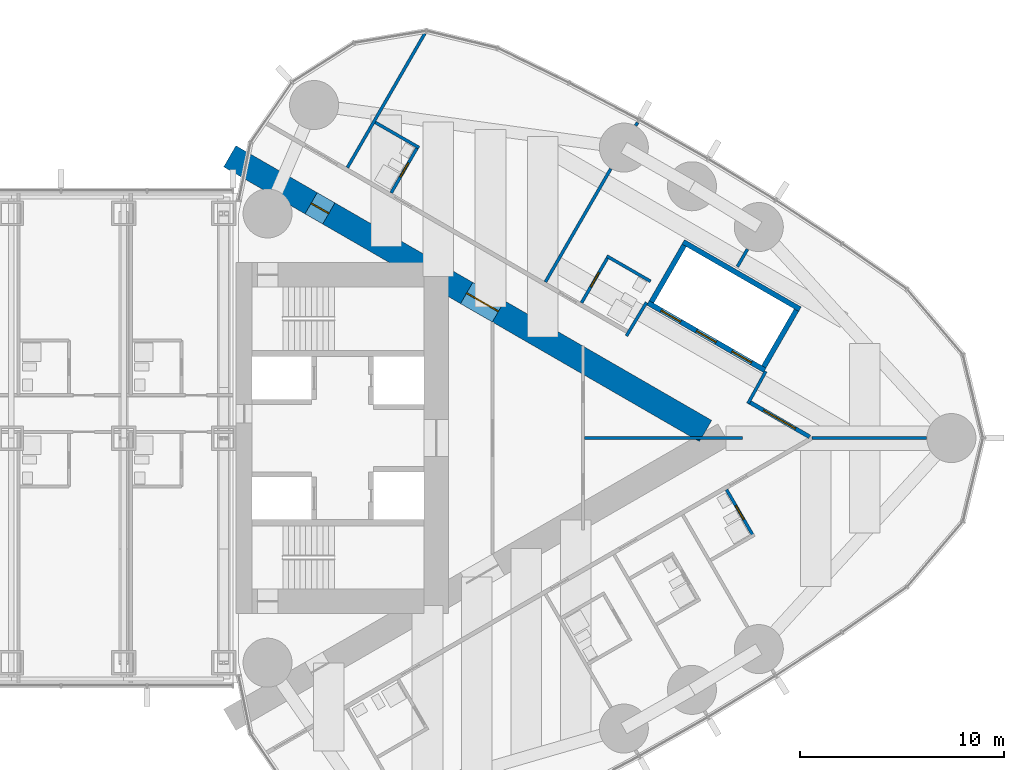
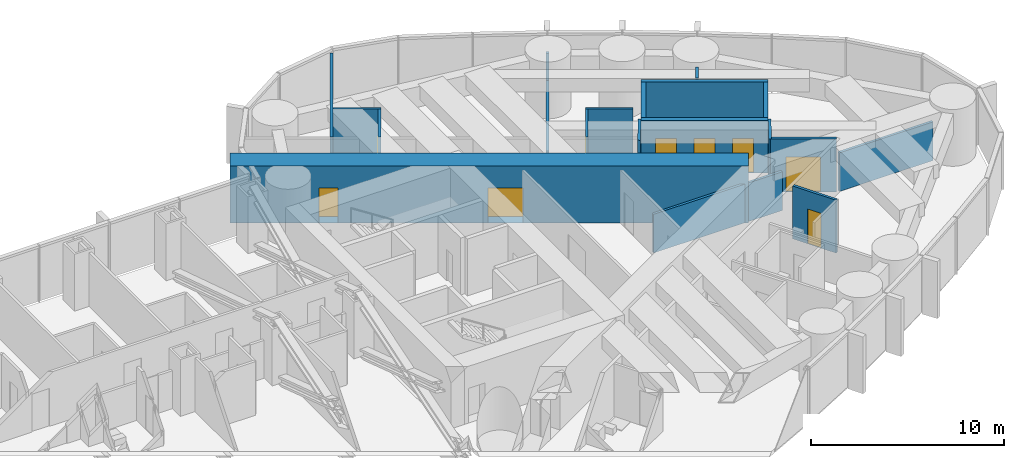
# One storey, part 20 of 23: 19 walls, 9 doors, 9 openings.
"""IFC4 building model written with IfcOpenShell, lengths in metres."""

from ifc_helpers import new_model, si_unit, direction, frame, frame_2d, origin, place, context, subcontext, project, spatial, rectangle, extrude, material, layer, layer_set, type_object, element, fill, save


model = new_model("IFC4")

# Units and contexts
model_context = context("Model", 3, precision=1e-05, world=origin(), true_north=direction((0.0, 1.0)))
body_context = subcontext(model_context, "Body", "Model", "MODEL_VIEW")
ifc_project = project(units=[si_unit("LENGTHUNIT", "METRE"), si_unit("AREAUNIT", "SQUARE_METRE"), si_unit("VOLUMEUNIT", "CUBIC_METRE"), si_unit("PLANEANGLEUNIT", "RADIAN"), si_unit("MASSUNIT", "GRAM", prefix="KILO")], contexts=[model_context])

# Site, building, storey
site_placement = place(None, origin())
site = spatial("IfcSite", under=ifc_project, at=site_placement, CompositionType="ELEMENT")
building_placement = place(site_placement, origin())
building = spatial("IfcBuilding", under=site, at=building_placement, Name="Lancet Gate Hotel", CompositionType="ELEMENT")
storey_placement = place(building_placement, frame((0.0, 0.0, 215.300048828125)))
storey = spatial("IfcBuildingStorey", under=building, at=storey_placement, Name="L57", CompositionType="ELEMENT", Elevation=215.300048828125)

# Wall, opening, door
ifc_material_1 = material(Name="Moisture resistant board partition")
ifc_layer_1 = layer(ifc_material_1, 0.14990234375)
ifc_layer_set_1 = layer_set([ifc_layer_1], Name="Bathroom wall 150")
wall_type_1 = type_object("IfcWallType", Name="Bathroom wall 150", PredefinedType="PARTITIONING", material=ifc_layer_set_1)
wall_1_placement = place(storey_placement, frame((51.528564453125, -2.525146484375, 0.0), z_axis=(0.0, 0.0, 1.0), x_axis=(0.500006934395, -0.866021400173, 0.0)))
wall_1 = element("IfcWall", 1, at=wall_1_placement, inside=storey, type_object=wall_type_1, Name="T2 bathroom wall 150 L57", PredefinedType="PARTITIONING", context=body_context, shape_type="SweptSolid", body=[
    extrude(rectangle(XDim=2.60009765625, YDim=0.14990234375, at=frame_2d((1.300048828125, 0.0))), origin(), (0.0, 0.0, 1.0), 3.349853515625),
])
opening_1_placement = place(wall_1_placement, frame((0.89990234375, 0.0, 0.0)))
opening_1 = element("IfcOpeningElement", 2, at=opening_1_placement, cuts=wall_1, Name="Opening 5755-B", PredefinedType="OPENING", context=body_context, shape_type="SweptSolid", body=[
    extrude(rectangle(XDim=0.800048828125, YDim=2.199951171875, at=frame_2d((0.39990234375, 1.10009765625))), frame((0.0, 0.0849609375, 0.0), z_axis=(0.0, -1.0, 0.0), x_axis=(1.0, 0.0, 0.0)), (0.0, 0.0, 1.0), 0.169921875),
])
ifc_material_2 = material(Name="Timber door set", Category="wood")
door_type_1 = type_object("IfcDoorType", Name="Bathroom door 800", OperationType="SINGLE_SWING_RIGHT", PredefinedType="DOOR", material=ifc_material_2)
door_1_placement = place(opening_1_placement, origin())
door_1 = element("IfcDoor", 3, at=door_1_placement, inside=storey, type_object=door_type_1, Name="5755-B", OperationType="SINGLE_SWING_RIGHT", OverallHeight=2.199951171875, OverallWidth=0.800048828125, PredefinedType="DOOR", context=body_context, shape_type="SweptSolid", body=[
    extrude(rectangle(XDim=0.800048828125, YDim=2.199951171875, at=frame_2d((0.39990234375, 1.10009765625))), frame((0.0, 0.02490234375, 0.0), z_axis=(0.0, -1.0, 0.0), x_axis=(1.0, 0.0, 0.0)), (0.0, 0.0, 1.0), 0.050048828125),
])
fill(opening_1, door_1)

# Wall
wall_2_placement = place(storey_placement, frame((45.662109375, 8.914306640625, 0.0), z_axis=(0.0, 0.0, 1.0), x_axis=(0.86604923931, -0.499958713387, 0.0)))
element("IfcWall", 4, at=wall_2_placement, inside=storey, type_object=wall_type_1, Name="T2 bathroom wall 150 L57", PredefinedType="PARTITIONING", context=body_context, shape_type="SweptSolid", body=[
    extrude(rectangle(XDim=2.474853515625, YDim=0.14990234375, at=frame_2d((1.2373046875, 0.0))), origin(), (0.0, 0.0, 1.0), 3.349853515625),
])

# Wall, opening, door
wall_3_placement = place(storey_placement, frame((44.427001953125, 6.625244140625, 0.0), z_axis=(0.0, 0.0, 1.0), x_axis=(0.500006934395, 0.866021400173, 0.0)))
wall_3 = element("IfcWall", 5, at=wall_3_placement, inside=storey, type_object=wall_type_1, Name="T2 bathroom wall 150 L57", PredefinedType="PARTITIONING", context=body_context, shape_type="SweptSolid", body=[
    extrude(rectangle(XDim=2.60009765625, YDim=0.14990234375, at=frame_2d((1.300048828125, 0.0))), origin(), (0.0, 0.0, 1.0), 3.349853515625),
])
opening_2_placement = place(wall_3_placement, frame((0.89990234375, 0.0, 0.0)))
opening_2 = element("IfcOpeningElement", 6, at=opening_2_placement, cuts=wall_3, Name="Opening 5758-B", PredefinedType="OPENING", context=body_context, shape_type="SweptSolid", body=[
    extrude(rectangle(XDim=0.800048828125, YDim=2.199951171875, at=frame_2d((0.39990234375, 1.10009765625))), frame((0.0, 0.0849609375, 0.0), z_axis=(0.0, -1.0, 0.0), x_axis=(1.0, 0.0, 0.0)), (0.0, 0.0, 1.0), 0.169921875),
])
door_2_placement = place(opening_2_placement, origin())
door_2 = element("IfcDoor", 7, at=door_2_placement, inside=storey, type_object=door_type_1, Name="5758-B", OperationType="SINGLE_SWING_RIGHT", OverallHeight=2.199951171875, OverallWidth=0.800048828125, PredefinedType="DOOR", context=body_context, shape_type="SweptSolid", body=[
    extrude(rectangle(XDim=0.800048828125, YDim=2.199951171875, at=frame_2d((0.39990234375, 1.10009765625))), frame((0.0, 0.02490234375, 0.0), z_axis=(0.0, -1.0, 0.0), x_axis=(1.0, 0.0, 0.0)), (0.0, 0.0, 1.0), 0.050048828125),
])
fill(opening_2, door_2)

# Wall
wall_4_placement = place(storey_placement, frame((34.324951171875, 15.4599609375, 0.0), z_axis=(0.0, 0.0, 1.0), x_axis=(0.866031185235, -0.4999899861, 0.0)))
element("IfcWall", 8, at=wall_4_placement, inside=storey, type_object=wall_type_1, Name="T2 bathroom wall 150 L57", PredefinedType="PARTITIONING", context=body_context, shape_type="SweptSolid", body=[
    extrude(rectangle(XDim=2.47509765625, YDim=0.14990234375, at=frame_2d((1.237548828125, 0.0))), origin(), (0.0, 0.0, 1.0), 3.349853515625),
])

# Wall, opening, door
wall_5_placement = place(storey_placement, frame((35.103515625, 12.00830078125, 0.0), z_axis=(0.0, 0.0, 1.0), x_axis=(0.500047596559, 0.865997922154, 0.0)))
wall_5 = element("IfcWall", 9, at=wall_5_placement, inside=storey, type_object=wall_type_1, Name="T2 bathroom wall 150 L57", PredefinedType="PARTITIONING", context=body_context, shape_type="SweptSolid", body=[
    extrude(rectangle(XDim=2.599853515625, YDim=0.14990234375, at=frame_2d((1.2998046875, 0.0))), origin(), (0.0, 0.0, 1.0), 3.349853515625),
])
opening_3_placement = place(wall_5_placement, frame((0.89990234375, 0.0, 0.0)))
opening_3 = element("IfcOpeningElement", 10, at=opening_3_placement, cuts=wall_5, Name="Opening 5759-B", PredefinedType="OPENING", context=body_context, shape_type="SweptSolid", body=[
    extrude(rectangle(XDim=0.800048828125, YDim=2.199951171875, at=frame_2d((0.39990234375, 1.10009765625))), frame((0.0, 0.0849609375, 0.0), z_axis=(0.0, -1.0, 0.0), x_axis=(1.0, 0.0, 0.0)), (0.0, 0.0, 1.0), 0.169921875),
])
door_3_placement = place(opening_3_placement, origin())
door_3 = element("IfcDoor", 11, at=door_3_placement, inside=storey, type_object=door_type_1, Name="5759-B", OperationType="SINGLE_SWING_RIGHT", OverallHeight=2.199951171875, OverallWidth=0.800048828125, PredefinedType="DOOR", context=body_context, shape_type="SweptSolid", body=[
    extrude(rectangle(XDim=0.800048828125, YDim=2.199951171875, at=frame_2d((0.39990234375, 1.10009765625))), frame((0.0, 0.02490234375, 0.0), z_axis=(0.0, -1.0, 0.0), x_axis=(1.0, 0.0, 0.0)), (0.0, 0.0, 1.0), 0.050048828125),
])
fill(opening_3, door_3)

# Wall, openings, doors
ifc_material_3 = material(Name="Concrete C70/85", Category="concrete")
ifc_layer_2 = layer(ifc_material_3, 1.199951171875)
ifc_layer_set_2 = layer_set([ifc_layer_2], Name="Buttress wall 1200")
wall_type_2 = type_object("IfcWallType", Name="Buttress wall 1200", PredefinedType="SHEAR", material=ifc_layer_set_2)
wall_6_placement = place(storey_placement, frame((27.199951171875, 13.800048828125, 0.0), z_axis=(0.0, 0.0, 1.0), x_axis=(0.866024515034, -0.500001539357, 0.0)))
wall_6 = element("IfcWall", 12, at=wall_6_placement, inside=storey, type_object=wall_type_2, Name="T2 buttress wall N L57", PredefinedType="SHEAR", context=body_context, shape_type="SweptSolid", body=[
    extrude(rectangle(XDim=26.9072265625, YDim=1.199951171875, at=frame_2d((13.45361328125, 0.0))), origin(), (0.0, 0.0, 1.0), 3.599853515625),
])
opening_4_placement = place(wall_6_placement, frame((4.60009765625, 0.0, 0.0)))
opening_4 = element("IfcOpeningElement", 13, at=opening_4_placement, cuts=wall_6, Name="Opening T2-L57-LN", PredefinedType="OPENING", context=body_context, shape_type="SweptSolid", body=[
    extrude(rectangle(XDim=1.0, YDim=2.199951171875, at=frame_2d((0.5, 1.10009765625))), frame((0.0, 0.60986328125, 0.0), z_axis=(0.0, -1.0, 0.0), x_axis=(1.0, 0.0, 0.0)), (0.0, 0.0, 1.0), 1.219970703125),
])
opening_5_placement = place(wall_6_placement, frame((13.39453125, 0.0, 0.0)))
opening_5 = element("IfcOpeningElement", 14, at=opening_5_placement, cuts=wall_6, Name="Opening T2-L57-LHN", PredefinedType="OPENING", context=body_context, shape_type="SweptSolid", body=[
    extrude(rectangle(XDim=1.800048828125, YDim=2.199951171875, at=frame_2d((0.89990234375, 1.10009765625))), frame((0.0, 0.60986328125, 0.0), z_axis=(0.0, -1.0, 0.0), x_axis=(1.0, 0.0, 0.0)), (0.0, 0.0, 1.0), 1.219970703125),
])
ifc_material_4 = material(Name="Timber door set", Category="wood")
door_type_2 = type_object("IfcDoorType", Name="Lobby double door 1800", OperationType="DOUBLE_DOOR_SINGLE_SWING", PredefinedType="DOOR", material=ifc_material_4)
door_4_placement = place(opening_5_placement, origin())
door_4 = element("IfcDoor", 15, at=door_4_placement, inside=storey, type_object=door_type_2, Name="T2-L57-LHN", OperationType="DOUBLE_DOOR_SINGLE_SWING", OverallHeight=2.199951171875, OverallWidth=1.800048828125, PredefinedType="DOOR", context=body_context, shape_type="SweptSolid", body=[
    extrude(rectangle(XDim=1.800048828125, YDim=2.199951171875, at=frame_2d((0.89990234375, 1.10009765625))), frame((0.0, 0.02490234375, 0.0), z_axis=(0.0, -1.0, 0.0), x_axis=(1.0, 0.0, 0.0)), (0.0, 0.0, 1.0), 0.050048828125),
])
fill(opening_5, door_4)
ifc_material_5 = material(Name="Timber door set", Category="wood")
door_type_3 = type_object("IfcDoorType", Name="Stair lobby door 1000", OperationType="SINGLE_SWING_LEFT", PredefinedType="DOOR", material=ifc_material_5)
door_5_placement = place(opening_4_placement, origin())
door_5 = element("IfcDoor", 16, at=door_5_placement, inside=storey, type_object=door_type_3, Name="T2-L57-LN", OperationType="SINGLE_SWING_LEFT", OverallHeight=2.199951171875, OverallWidth=1.0, PredefinedType="DOOR", context=body_context, shape_type="SweptSolid", body=[
    extrude(rectangle(XDim=1.0, YDim=2.199951171875, at=frame_2d((0.5, 1.10009765625))), frame((0.0, 0.02490234375, 0.0), z_axis=(0.0, -1.0, 0.0), x_axis=(1.0, 0.0, 0.0)), (0.0, 0.0, 1.0), 0.050048828125),
])
fill(opening_4, door_5)

# Wall, opening, door
ifc_material_6 = material(Name="Gypsum board partition")
ifc_layer_3 = layer(ifc_material_6, 0.199951171875)
ifc_layer_set_3 = layer_set([ifc_layer_3], Name="Corridor wall 200")
wall_type_3 = type_object("IfcWallType", Name="Corridor wall 200", PredefinedType="PARTITIONING", material=ifc_layer_set_3)
wall_7_placement = place(storey_placement, frame((52.63916015625, 1.7685546875, 0.0), z_axis=(0.0, 0.0, 1.0), x_axis=(0.866027340901, -0.4999966448, 0.0)))
wall_7 = element("IfcWall", 17, at=wall_7_placement, inside=storey, type_object=wall_type_3, Name="T2 corridor wall 200 L57", PredefinedType="PARTITIONING", context=body_context, shape_type="SweptSolid", body=[
    extrude(rectangle(XDim=3.4169921875, YDim=0.199951171875, at=frame_2d((1.70849609375, 0.0))), origin(), (0.0, 0.0, 1.0), 3.349853515625),
])
opening_6_placement = place(wall_7_placement, frame((0.80859375, 0.0, 0.0)))
opening_6 = element("IfcOpeningElement", 18, at=opening_6_placement, cuts=wall_7, Name="Opening T2-L57-LO1", PredefinedType="OPENING", context=body_context, shape_type="SweptSolid", body=[
    extrude(rectangle(XDim=1.800048828125, YDim=2.199951171875, at=frame_2d((0.89990234375, 1.10009765625))), frame((0.0, 0.10986328125, 0.0), z_axis=(0.0, -1.0, 0.0), x_axis=(1.0, 0.0, 0.0)), (0.0, 0.0, 1.0), 0.219970703125),
])
ifc_material_7 = material(Name="Timber door set", Category="wood")
door_type_4 = type_object("IfcDoorType", Name="Double door 1800", OperationType="DOUBLE_DOOR_SINGLE_SWING", PredefinedType="DOOR", material=ifc_material_7)
door_6_placement = place(opening_6_placement, origin())
door_6 = element("IfcDoor", 19, at=door_6_placement, inside=storey, type_object=door_type_4, Name="T2-L57-LO1", OperationType="DOUBLE_DOOR_SINGLE_SWING", OverallHeight=2.199951171875, OverallWidth=1.800048828125, PredefinedType="DOOR", context=body_context, shape_type="SweptSolid", body=[
    extrude(rectangle(XDim=1.800048828125, YDim=2.199951171875, at=frame_2d((0.89990234375, 1.10009765625))), frame((0.0, 0.02490234375, 0.0), z_axis=(0.0, -1.0, 0.0), x_axis=(1.0, 0.0, 0.0)), (0.0, 0.0, 1.0), 0.050048828125),
])
fill(opening_6, door_6)

# Wall, openings, doors
ifc_material_8 = material(Name="Gypsum board partition")
ifc_layer_4 = layer(ifc_material_8, 0.25)
ifc_layer_set_4 = layer_set([ifc_layer_4], Name="Lift shaft partition 250")
wall_type_4 = type_object("IfcWallType", Name="Lift shaft partition 250", PredefinedType="PARTITIONING", material=ifc_layer_set_4)
wall_8_placement = place(storey_placement, frame((47.681396484375, 6.622314453125, 0.0), z_axis=(0.0, 0.0, 1.0), x_axis=(0.86603344179, -0.499986077507, 0.0)))
wall_8 = element("IfcWall", 20, at=wall_8_placement, inside=storey, type_object=wall_type_4, Name="T2 lift shaft wall HL L57", PredefinedType="PARTITIONING", context=body_context, shape_type="SweptSolid", body=[
    extrude(rectangle(XDim=6.600341796875, YDim=0.25, at=frame_2d((3.30029296875, 0.0))), origin(), (0.0, 0.0, 1.0), 3.349853515625),
])
opening_7_placement = place(wall_8_placement, frame((0.75, 0.0, 0.0)))
opening_7 = element("IfcOpeningElement", 21, at=opening_7_placement, cuts=wall_8, Name="Opening T2-HL1-L57", PredefinedType="OPENING", context=body_context, shape_type="SweptSolid", body=[
    extrude(rectangle(XDim=1.10009765625, YDim=2.199951171875, at=frame_2d((0.550048828125, 1.10009765625))), frame((0.0, 0.135009765625, 0.0), z_axis=(0.0, -1.0, 0.0), x_axis=(1.0, 0.0, 0.0)), (0.0, 0.0, 1.0), 0.27001953125),
])
opening_8_placement = place(wall_8_placement, frame((2.75, 0.0, 0.0)))
opening_8 = element("IfcOpeningElement", 22, at=opening_8_placement, cuts=wall_8, Name="Opening T2-HL2-L57", PredefinedType="OPENING", context=body_context, shape_type="SweptSolid", body=[
    extrude(rectangle(XDim=1.10009765625, YDim=2.199951171875, at=frame_2d((0.550048828125, 1.10009765625))), frame((0.0, 0.135009765625, 0.0), z_axis=(0.0, -1.0, 0.0), x_axis=(1.0, 0.0, 0.0)), (0.0, 0.0, 1.0), 0.27001953125),
])
opening_9_placement = place(wall_8_placement, frame((4.75, 0.0, 0.0)))
opening_9 = element("IfcOpeningElement", 23, at=opening_9_placement, cuts=wall_8, Name="Opening T2-HL3-L57", PredefinedType="OPENING", context=body_context, shape_type="SweptSolid", body=[
    extrude(rectangle(XDim=1.10009765625, YDim=2.199951171875, at=frame_2d((0.550048828125, 1.10009765625))), frame((0.0, 0.135009765625, 0.0), z_axis=(0.0, -1.0, 0.0), x_axis=(1.0, 0.0, 0.0)), (0.0, 0.0, 1.0), 0.27001953125),
])
ifc_material_9 = material(Name="Steel door set", Category="steel")
door_type_5 = type_object("IfcDoorType", Name="Lift landing door 1100", OperationType="DOUBLE_DOOR_SLIDING", PredefinedType="USERDEFINED", material=ifc_material_9)
door_7_placement = place(opening_7_placement, origin())
door_7 = element("IfcDoor", 24, at=door_7_placement, inside=storey, type_object=door_type_5, Name="T2-HL1-L57", ObjectType="LIFT LANDING DOOR", OperationType="DOUBLE_DOOR_SLIDING", OverallHeight=2.199951171875, OverallWidth=1.10009765625, PredefinedType="USERDEFINED", context=body_context, shape_type="SweptSolid", body=[
    extrude(rectangle(XDim=1.10009765625, YDim=2.199951171875, at=frame_2d((0.550048828125, 1.10009765625))), frame((0.0, 0.02490234375, 0.0), z_axis=(0.0, -1.0, 0.0), x_axis=(1.0, 0.0, 0.0)), (0.0, 0.0, 1.0), 0.050048828125),
])
fill(opening_7, door_7)
door_8_placement = place(opening_8_placement, origin())
door_8 = element("IfcDoor", 25, at=door_8_placement, inside=storey, type_object=door_type_5, Name="T2-HL2-L57", ObjectType="LIFT LANDING DOOR", OperationType="DOUBLE_DOOR_SLIDING", OverallHeight=2.199951171875, OverallWidth=1.10009765625, PredefinedType="USERDEFINED", context=body_context, shape_type="SweptSolid", body=[
    extrude(rectangle(XDim=1.10009765625, YDim=2.199951171875, at=frame_2d((0.550048828125, 1.10009765625))), frame((0.0, 0.02490234375, 0.0), z_axis=(0.0, -1.0, 0.0), x_axis=(1.0, 0.0, 0.0)), (0.0, 0.0, 1.0), 0.050048828125),
])
fill(opening_8, door_8)
door_9_placement = place(opening_9_placement, origin())
door_9 = element("IfcDoor", 26, at=door_9_placement, inside=storey, type_object=door_type_5, Name="T2-HL3-L57", ObjectType="LIFT LANDING DOOR", OperationType="DOUBLE_DOOR_SLIDING", OverallHeight=2.199951171875, OverallWidth=1.10009765625, PredefinedType="USERDEFINED", context=body_context, shape_type="SweptSolid", body=[
    extrude(rectangle(XDim=1.10009765625, YDim=2.199951171875, at=frame_2d((0.550048828125, 1.10009765625))), frame((0.0, 0.02490234375, 0.0), z_axis=(0.0, -1.0, 0.0), x_axis=(1.0, 0.0, 0.0)), (0.0, 0.0, 1.0), 0.050048828125),
])
fill(opening_9, door_9)

# Walls
wall_9_placement = place(storey_placement, frame((49.406494140625, 9.61083984375, 0.0), z_axis=(0.0, 0.0, 1.0), x_axis=(0.86603344179, -0.499986077507, 0.0)))
element("IfcWall", 27, at=wall_9_placement, inside=storey, type_object=wall_type_4, Name="T2 lift shaft wall HL L57", PredefinedType="PARTITIONING", context=body_context, shape_type="SweptSolid", body=[
    extrude(rectangle(XDim=6.600341796875, YDim=0.25, at=frame_2d((3.30029296875, 0.0))), origin(), (0.0, 0.0, 1.0), 3.349853515625),
])
wall_10_placement = place(storey_placement, frame((47.852294921875, 6.66796875, 0.0), z_axis=(0.0, 0.0, 1.0), x_axis=(0.499929347863, 0.866066190972, 0.0)))
element("IfcWall", 28, at=wall_10_placement, inside=storey, type_object=wall_type_4, Name="T2 lift shaft wall HL L57", PredefinedType="PARTITIONING", context=body_context, shape_type="SweptSolid", body=[
    extrude(rectangle(XDim=3.20068359375, YDim=0.25, at=frame_2d((1.600341796875, 0.0))), origin(), (0.0, 0.0, 1.0), 3.349853515625),
])
wall_11_placement = place(storey_placement, frame((53.351806640625, 3.492919921875, 0.0), z_axis=(0.0, 0.0, 1.0), x_axis=(0.499872130319, 0.866099216793, 0.0)))
element("IfcWall", 29, at=wall_11_placement, inside=storey, type_object=wall_type_4, Name="T2 lift shaft wall HL L57", PredefinedType="PARTITIONING", context=body_context, shape_type="SweptSolid", body=[
    extrude(rectangle(XDim=3.200439453125, YDim=0.25, at=frame_2d((1.60009765625, 0.0))), origin(), (0.0, 0.0, 1.0), 3.349853515625),
])
ifc_material_10 = material(Name="Gypsum board partition")
ifc_layer_5 = layer(ifc_material_10, 0.14990234375)
ifc_layer_set_5 = layer_set([ifc_layer_5], Name="Party wall 150")
wall_type_5 = type_object("IfcWallType", Name="Party wall 150", PredefinedType="PARTITIONING", material=ifc_layer_set_5)
wall_12_placement = place(storey_placement, frame((32.9599609375, 13.24560546875, 0.0), z_axis=(0.0, 0.0, 1.0), x_axis=(0.500000236886, 0.866025267018, 0.0)))
element("IfcWall", 30, at=wall_12_placement, inside=storey, type_object=wall_type_5, Name="T2 party wall 150 L57", PredefinedType="PARTITIONING", context=body_context, shape_type="SweptSolid", body=[
    extrude(rectangle(XDim=7.58251953125, YDim=0.14990234375, at=frame_2d((3.791259765625, 0.0))), origin(), (0.0, 0.0, 1.0), 3.349853515625),
])
wall_13_placement = place(storey_placement, frame((42.65966796875, 7.6455078125, 0.0), z_axis=(0.0, 0.0, 1.0), x_axis=(0.499996592859, 0.866027370889, 0.0)))
element("IfcWall", 31, at=wall_13_placement, inside=storey, type_object=wall_type_5, Name="T2 party wall 150 L57", PredefinedType="PARTITIONING", context=body_context, shape_type="SweptSolid", body=[
    extrude(rectangle(XDim=6.3984375, YDim=0.14990234375, at=frame_2d((3.19921875, 0.0))), origin(), (0.0, 0.0, 1.0), 2.449951171875),
])
wall_14_placement = place(storey_placement, frame((47.078857421875, 15.2998046875, 0.0), z_axis=(0.0, 0.0, 1.0), x_axis=(0.499212083968, 0.866479829667, 0.0)))
element("IfcWall", 32, at=wall_14_placement, inside=storey, type_object=wall_type_5, Name="T2 party wall 150 L57", PredefinedType="PARTITIONING", context=body_context, shape_type="SweptSolid", body=[
    extrude(rectangle(XDim=0.179443359375, YDim=0.14990234375, at=frame_2d((0.08984375, 0.0))), origin(), (0.0, 0.0, 1.0), 2.449951171875),
])
wall_15_placement = place(storey_placement, frame((55.7021484375, 0.0, 0.0), z_axis=(0.0, 0.0, 1.0), x_axis=(1.0, 0.0, 0.0)))
element("IfcWall", 33, at=wall_15_placement, inside=storey, type_object=wall_type_5, Name="T2 party wall 150 L57", PredefinedType="PARTITIONING", context=body_context, shape_type="SweptSolid", body=[
    extrude(rectangle(XDim=5.619384765625, YDim=0.14990234375, at=frame_2d((2.8095703125, 0.0))), origin(), (0.0, 0.0, 1.0), 2.449951171875),
])
wall_16_placement = place(storey_placement, frame((52.060302734375, 8.396240234375, 0.0), z_axis=(0.0, 0.0, 1.0), x_axis=(0.500095379624, 0.865970329329, 0.0)))
element("IfcWall", 34, at=wall_16_placement, inside=storey, type_object=wall_type_5, Name="T2 party wall 150 L57", PredefinedType="PARTITIONING", context=body_context, shape_type="SweptSolid", body=[
    extrude(rectangle(XDim=0.982177734375, YDim=0.14990234375, at=frame_2d((0.4912109375, 0.0))), origin(), (0.0, 0.0, 1.0), 3.349853515625),
])
ifc_material_11 = material(Name="Gypsum board partition")
ifc_layer_6 = layer(ifc_material_11, 0.14990234375)
ifc_layer_set_6 = layer_set([ifc_layer_6], Name="Service room wall 150")
wall_type_6 = type_object("IfcWallType", Name="Service room wall 150", PredefinedType="PARTITIONING", material=ifc_layer_set_6)
wall_17_placement = place(storey_placement, frame((47.6064453125, 6.642333984375, 0.0), z_axis=(0.0, 0.0, 1.0), x_axis=(-0.51353662755, -0.858067673418, 0.0)))
element("IfcWall", 35, at=wall_17_placement, inside=storey, type_object=wall_type_6, Name="T2 service room wall 150 L57", PredefinedType="PARTITIONING", context=body_context, shape_type="SweptSolid", body=[
    extrude(rectangle(XDim=1.90966796875, YDim=0.14990234375, at=frame_2d((0.954833984375, 0.0))), origin(), (0.0, 0.0, 1.0), 3.349853515625),
])
wall_18_placement = place(storey_placement, frame((52.576171875, 1.689453125, 0.0), z_axis=(0.0, 0.0, 1.0), x_axis=(0.485424724123, 0.874278466629, 0.0)))
element("IfcWall", 36, at=wall_18_placement, inside=storey, type_object=wall_type_6, Name="T2 service room wall 150 L57", PredefinedType="PARTITIONING", context=body_context, shape_type="SweptSolid", body=[
    extrude(rectangle(XDim=1.80517578125, YDim=0.14990234375, at=frame_2d((0.902587890625, 0.0))), origin(), (0.0, 0.0, 1.0), 3.349853515625),
])
wall_19_placement = place(storey_placement, frame((44.574951171875, 0.0, 0.0), z_axis=(0.0, 0.0, 1.0), x_axis=(1.0, 0.0, 0.0)))
element("IfcWall", 37, at=wall_19_placement, inside=storey, type_object=wall_type_6, Name="T2 service room wall 150 L57", PredefinedType="PARTITIONING", context=body_context, shape_type="SweptSolid", body=[
    extrude(rectangle(XDim=7.727294921875, YDim=0.14990234375, at=frame_2d((3.86376953125, 0.0))), origin(), (0.0, 0.0, 1.0), 2.449951171875),
])

save(model, "model.ifc")
